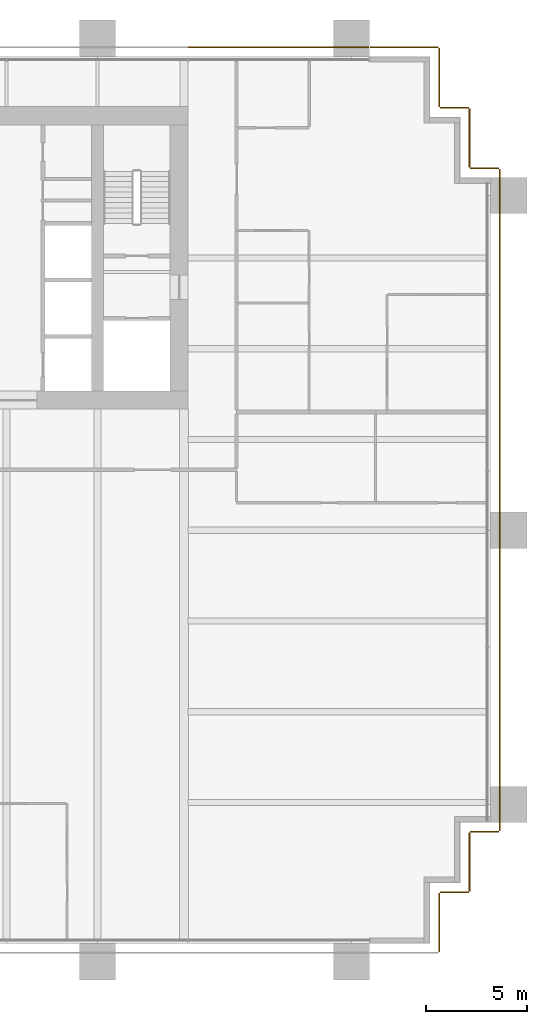
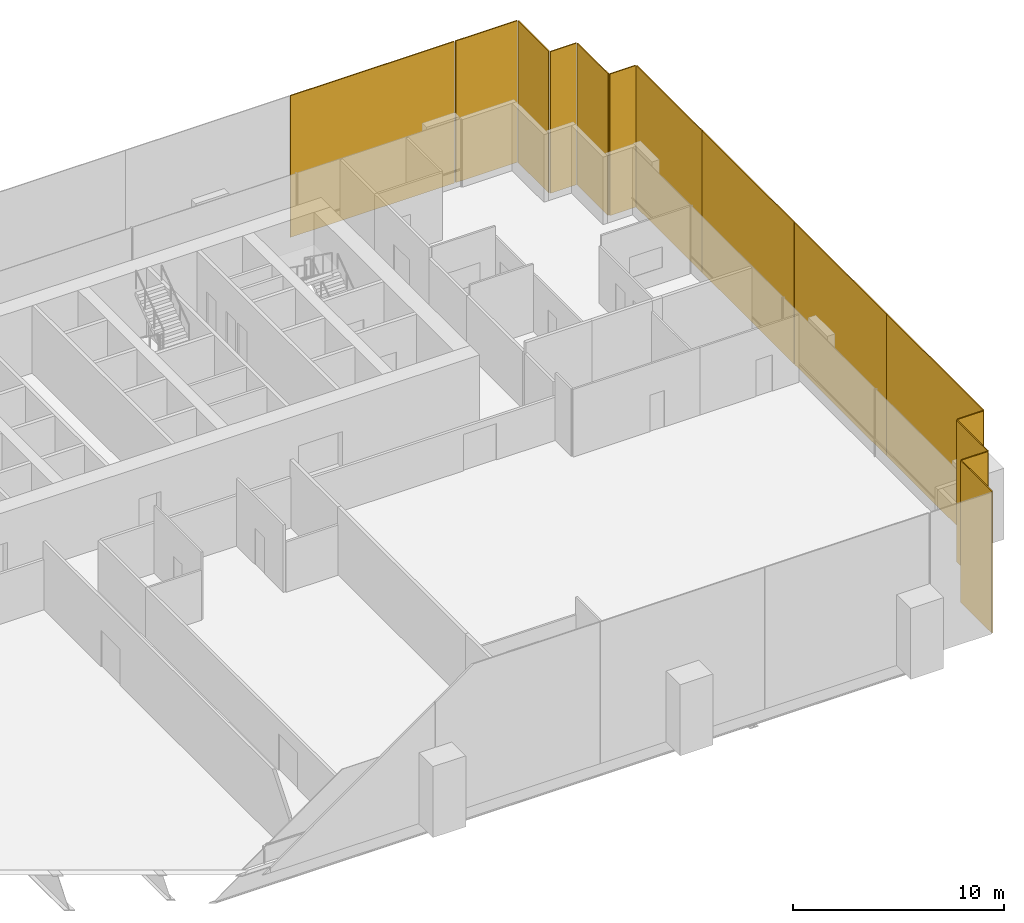
# One storey, part 17 of 17: 14 coverings.
"""IFC4 building model written with IfcOpenShell, lengths in metres."""

from ifc_helpers import new_model, si_unit, direction, frame, origin, origin_2d, place, context, subcontext, project, spatial, rectangle, extrude, material, layer, layer_set, type_object, element, save


model = new_model("IFC4")

# Units and contexts
model_context = context("Model", 3, precision=1e-05, world=origin(), true_north=direction((0.0, 1.0)))
body_context = subcontext(model_context, "Body", "Model", "MODEL_VIEW")
ifc_project = project(units=[si_unit("LENGTHUNIT", "METRE"), si_unit("AREAUNIT", "SQUARE_METRE"), si_unit("VOLUMEUNIT", "CUBIC_METRE"), si_unit("PLANEANGLEUNIT", "RADIAN"), si_unit("MASSUNIT", "GRAM", prefix="KILO")], contexts=[model_context])

# Site, building, storey
site_placement = place(None, origin())
site = spatial("IfcSite", under=ifc_project, at=site_placement, CompositionType="ELEMENT")
building_placement = place(site_placement, origin())
building = spatial("IfcBuilding", under=site, at=building_placement, Name="Rattan Terrace Tower", CompositionType="ELEMENT")
storey_placement = place(building_placement, frame((0.0, 0.0, 44.699951171875)))
storey = spatial("IfcBuildingStorey", under=building, at=storey_placement, Name="L09", CompositionType="ELEMENT", Elevation=44.699951171875)

# Coverings
ifc_material = material(Name="Perforated terracotta", Category="masonry")
ifc_layer = layer(ifc_material, 0.06005859375)
ifc_layer_set = layer_set([ifc_layer], Name="Facade Terracotta Screen Panel")
covering_type = type_object("IfcCoveringType", Name="Facade Terracotta Screen Panel", PredefinedType="CLADDING", material=ifc_layer_set)
covering_1_placement = place(storey_placement, frame((30.449951171875, -32.949951171875, -0.18994140625), z_axis=(0.0, 0.0, 1.0), x_axis=(0.0, 1.0, 0.0)))
element("IfcCovering", 1, at=covering_1_placement, inside=storey, type_object=covering_type, Name="OUTER SKIN panel L09-2", PredefinedType="CLADDING", context=body_context, shape_type="SweptSolid", body=[
    extrude(rectangle(XDim=2.919921875, YDim=0.06005859375, at=origin_2d()), origin(), (0.0, 0.0, 1.0), 8.179931640625),
])
covering_2_placement = place(storey_placement, frame((31.199951171875, -31.449951171875, -0.18994140625), z_axis=(0.0, 0.0, 1.0), x_axis=(1.0, 0.0, 0.0)))
element("IfcCovering", 2, at=covering_2_placement, inside=storey, type_object=covering_type, Name="OUTER SKIN panel L09-3", PredefinedType="CLADDING", context=body_context, shape_type="SweptSolid", body=[
    extrude(rectangle(XDim=1.419921875, YDim=0.06005859375, at=origin_2d()), origin(), (0.0, 0.0, 1.0), 8.179931640625),
])
covering_3_placement = place(storey_placement, frame((31.949951171875, -29.949951171875, -0.18994140625), z_axis=(0.0, 0.0, 1.0), x_axis=(0.0, 1.0, 0.0)))
element("IfcCovering", 3, at=covering_3_placement, inside=storey, type_object=covering_type, Name="OUTER SKIN panel L09-4", PredefinedType="CLADDING", context=body_context, shape_type="SweptSolid", body=[
    extrude(rectangle(XDim=2.919921875, YDim=0.06005859375, at=origin_2d()), origin(), (0.0, 0.0, 1.0), 8.179931640625),
])
covering_4_placement = place(storey_placement, frame((32.699951171875, -28.449951171875, -0.18994140625), z_axis=(0.0, 0.0, 1.0), x_axis=(1.0, 0.0, 0.0)))
element("IfcCovering", 4, at=covering_4_placement, inside=storey, type_object=covering_type, Name="OUTER SKIN panel L09-5", PredefinedType="CLADDING", context=body_context, shape_type="SweptSolid", body=[
    extrude(rectangle(XDim=1.419921875, YDim=0.06005859375, at=origin_2d()), origin(), (0.0, 0.0, 1.0), 8.179931640625),
])
covering_5_placement = place(storey_placement, frame((33.449951171875, -23.846435546875, -0.18994140625), z_axis=(0.0, 0.0, 1.0), x_axis=(0.0, 1.0, 0.0)))
element("IfcCovering", 5, at=covering_5_placement, inside=storey, type_object=covering_type, Name="OUTER SKIN panel L09-6", PredefinedType="CLADDING", context=body_context, shape_type="SweptSolid", body=[
    extrude(rectangle(XDim=9.126953125, YDim=0.06005859375, at=origin_2d()), origin(), (0.0, 0.0, 1.0), 8.179931640625),
])
for number, where, z_axis, x_axis, name in (
    (6, (33.449951171875, -14.909423828125, -0.18994140625), (0.0, 0.0, 1.0), (0.0, 1.0, 0.0), "OUTER SKIN panel L09-7"),
    (7, (33.449951171875, -6.1826171875, -0.18994140625), (0.0, 0.0, 1.0), (0.0, 1.0, 0.0), "OUTER SKIN panel L09-8"),
):
    element("IfcCovering", number, at=place(storey_placement, frame(where, z_axis=z_axis, x_axis=x_axis)), inside=storey, type_object=covering_type, Name=name, PredefinedType="CLADDING", context=body_context, shape_type="SweptSolid", body=[
        extrude(rectangle(XDim=8.70703125, YDim=0.06005859375, at=origin_2d()), origin(), (0.0, 0.0, 1.0), 8.179931640625),
    ])
covering_6_placement = place(storey_placement, frame((33.449951171875, 1.300537109375, -0.18994140625), z_axis=(0.0, 0.0, 1.0), x_axis=(0.0, 1.0, 0.0)))
element("IfcCovering", 8, at=covering_6_placement, inside=storey, type_object=covering_type, Name="OUTER SKIN panel L09-9", PredefinedType="CLADDING", context=body_context, shape_type="SweptSolid", body=[
    extrude(rectangle(XDim=6.218994140625, YDim=0.06005859375, at=origin_2d()), origin(), (0.0, 0.0, 1.0), 8.179931640625),
])
covering_7_placement = place(storey_placement, frame((32.699951171875, 4.449951171875, -0.18994140625), z_axis=(0.0, 0.0, 1.0), x_axis=(-1.0, 0.0, 0.0)))
element("IfcCovering", 9, at=covering_7_placement, inside=storey, type_object=covering_type, Name="OUTER SKIN panel L09-10", PredefinedType="CLADDING", context=body_context, shape_type="SweptSolid", body=[
    extrude(rectangle(XDim=1.419921875, YDim=0.06005859375, at=origin_2d()), origin(), (0.0, 0.0, 1.0), 8.179931640625),
])
covering_8_placement = place(storey_placement, frame((31.949951171875, 5.949951171875, -0.18994140625), z_axis=(0.0, 0.0, 1.0), x_axis=(0.0, 1.0, 0.0)))
element("IfcCovering", 10, at=covering_8_placement, inside=storey, type_object=covering_type, Name="OUTER SKIN panel L09-11", PredefinedType="CLADDING", context=body_context, shape_type="SweptSolid", body=[
    extrude(rectangle(XDim=2.919921875, YDim=0.06005859375, at=origin_2d()), origin(), (0.0, 0.0, 1.0), 8.179931640625),
])
covering_9_placement = place(storey_placement, frame((31.199951171875, 7.449951171875, -0.18994140625), z_axis=(0.0, 0.0, 1.0), x_axis=(-1.0, 0.0, 0.0)))
element("IfcCovering", 11, at=covering_9_placement, inside=storey, type_object=covering_type, Name="OUTER SKIN panel L09-12", PredefinedType="CLADDING", context=body_context, shape_type="SweptSolid", body=[
    extrude(rectangle(XDim=1.419921875, YDim=0.06005859375, at=origin_2d()), origin(), (0.0, 0.0, 1.0), 8.179931640625),
])
covering_10_placement = place(storey_placement, frame((30.449951171875, 8.949951171875, -0.18994140625), z_axis=(0.0, 0.0, 1.0), x_axis=(0.0, 1.0, 0.0)))
element("IfcCovering", 12, at=covering_10_placement, inside=storey, type_object=covering_type, Name="OUTER SKIN panel L09-13", PredefinedType="CLADDING", context=body_context, shape_type="SweptSolid", body=[
    extrude(rectangle(XDim=2.919921875, YDim=0.06005859375, at=origin_2d()), origin(), (0.0, 0.0, 1.0), 8.179931640625),
])
covering_11_placement = place(storey_placement, frame((28.72509765625, 10.449951171875, -0.18994140625), z_axis=(0.0, 0.0, 1.0), x_axis=(-1.0, 0.0, 0.0)))
element("IfcCovering", 13, at=covering_11_placement, inside=storey, type_object=covering_type, Name="OUTER SKIN panel L09-14", PredefinedType="CLADDING", context=body_context, shape_type="SweptSolid", body=[
    extrude(rectangle(XDim=3.3701171875, YDim=0.06005859375, at=origin_2d()), origin(), (0.0, 0.0, 1.0), 8.179931640625),
])
covering_12_placement = place(storey_placement, frame((22.485107421875, 10.449951171875, -0.18994140625), z_axis=(0.0, 0.0, 1.0), x_axis=(-1.0, 0.0, 0.0)))
element("IfcCovering", 14, at=covering_12_placement, inside=storey, type_object=covering_type, Name="OUTER SKIN panel L09-15", PredefinedType="CLADDING", context=body_context, shape_type="SweptSolid", body=[
    extrude(rectangle(XDim=8.949951171875, YDim=0.06005859375, at=origin_2d()), origin(), (0.0, 0.0, 1.0), 8.179931640625),
])

save(model, "model.ifc")
